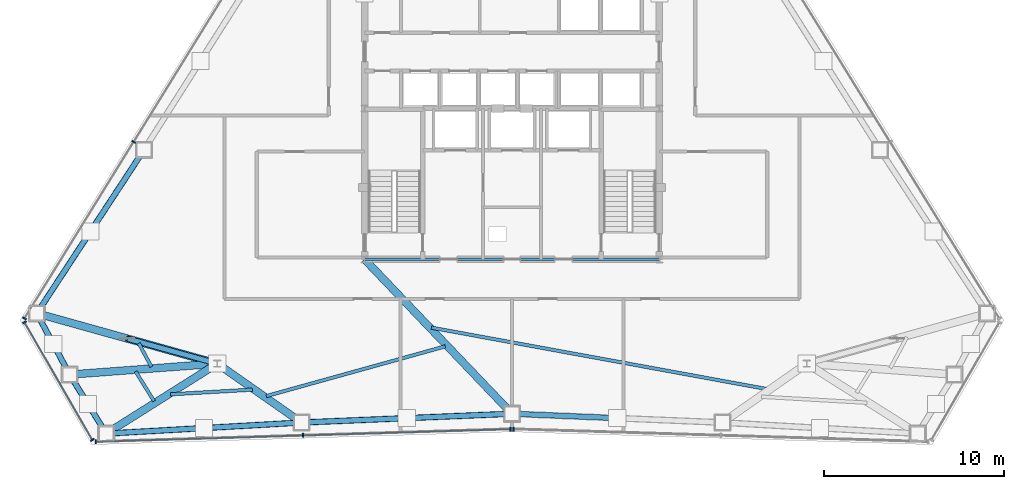
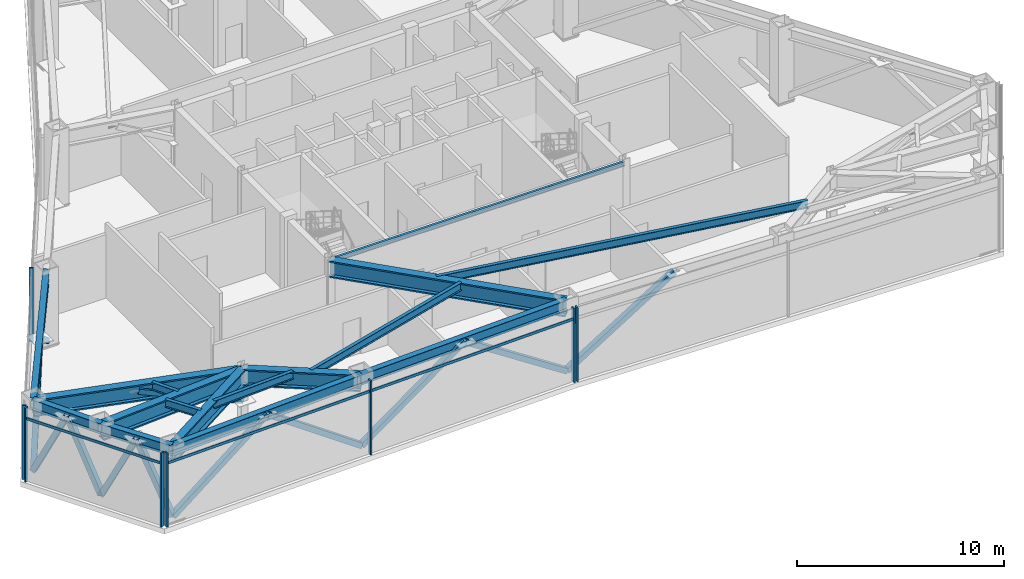
# One storey, part 3 of 12: 22 members, 16 beams, 4 elements without a shape of their own.
"""IFC4 building model written with IfcOpenShell, lengths in metres."""

from ifc_helpers import new_model, si_unit, direction, frame, origin, origin_2d, place, context, subcontext, project, spatial, rectangle, hollow_rectangle, i_section, extrude, source, transform, mapped, material, layer, layer_set, material_profile, profile_set, type_object, type_shapes, element, aggregate, save


model = new_model("IFC4")

# Units and contexts
model_context = context("Model", 3, precision=1e-05, world=origin(), true_north=direction((0.0, 1.0)))
body_context = subcontext(model_context, "Body", "Model", "MODEL_VIEW")
ifc_project = project(units=[si_unit("LENGTHUNIT", "METRE"), si_unit("AREAUNIT", "SQUARE_METRE"), si_unit("VOLUMEUNIT", "CUBIC_METRE"), si_unit("PLANEANGLEUNIT", "RADIAN"), si_unit("MASSUNIT", "GRAM", prefix="KILO")], contexts=[model_context])

# Site, building, storey
site_placement = place(None, origin())
site = spatial("IfcSite", under=ifc_project, at=site_placement, CompositionType="ELEMENT")
building_placement = place(site_placement, origin())
building = spatial("IfcBuilding", under=site, at=building_placement, Name="Varakhsha Concourse Tower", CompositionType="ELEMENT")
storey_placement = place(building_placement, frame((0.0, 0.0, 157.39990234375)))
storey = spatial("IfcBuildingStorey", under=building, at=storey_placement, Name="L45", CompositionType="ELEMENT", Elevation=157.39990234375)

# Beams
ifc_material_1 = material(Name="Structural Steel ASTM A992 Grade 50", Category="steel")
ifc_material_profile_1 = material_profile(ifc_material_1, i_section(OverallWidth=0.19091796875, OverallDepth=0.45703125, WebThickness=0.009033203125, FlangeThickness=0.013916015625, at=origin_2d()), Name="W18X50")
ifc_profile_set_1 = profile_set([ifc_material_profile_1], Name="Structural Steel ASTM A992 Grade 50")
beam_type_1 = type_object("IfcBeamType", Name="BM-JST-W18X50", PredefinedType="JOIST", material=ifc_profile_set_1)
beam_1_placement = place(storey_placement, frame((19.23583984375, 11.73388671875, 4.131591796875), z_axis=(0.472427315469, -0.881369633921, 0.0), x_axis=(0.881369633921, 0.472427315469, 0.0)))
element("IfcBeam", 1, at=beam_1_placement, inside=storey, type_object=beam_type_1, Name="BM-TJST-L45-07", PredefinedType="JOIST", context=body_context, shape_type="SweptSolid", body=[
    extrude(i_section(OverallWidth=0.19091796875, OverallDepth=0.45703125, WebThickness=0.009033203125, FlangeThickness=0.013916015625, at=origin_2d()), origin(), (0.0, 0.0, 1.0), 1.48046875),
])
beam_2_placement = place(storey_placement, frame((19.059814453125, 10.165283203125, 4.131591796875), z_axis=(0.527253458324, -0.849708062034, 0.0), x_axis=(0.849708062034, 0.527253458324, 0.0)))
element("IfcBeam", 2, at=beam_2_placement, inside=storey, type_object=beam_type_1, Name="BM-TJST-L45-08", PredefinedType="JOIST", context=body_context, shape_type="SweptSolid", body=[
    extrude(i_section(OverallWidth=0.19091796875, OverallDepth=0.45703125, WebThickness=0.009033203125, FlangeThickness=0.013916015625, at=origin_2d()), origin(), (0.0, 0.0, 1.0), 1.9443359375),
])
beam_3_placement = place(storey_placement, frame((20.99365234375, 8.89306640625, 4.131591796875), z_axis=(0.998392496676, 0.056678237279, 0.0), x_axis=(-0.056678237279, 0.998392496676, 0.0)))
element("IfcBeam", 3, at=beam_3_placement, inside=storey, type_object=beam_type_1, Name="BM-TJST-L45-09", PredefinedType="JOIST", context=body_context, shape_type="SweptSolid", body=[
    extrude(i_section(OverallWidth=0.19091796875, OverallDepth=0.45703125, WebThickness=0.009033203125, FlangeThickness=0.013916015625, at=origin_2d()), origin(), (0.0, 0.0, 1.0), 4.56591796875),
])
beam_4_placement = place(storey_placement, frame((26.330322265625, 8.794189453125, 4.131591796875), z_axis=(0.96347660105, 0.267792530195, 0.0), x_axis=(-0.267792530195, 0.96347660105, 0.0)))
element("IfcBeam", 4, at=beam_4_placement, inside=storey, type_object=beam_type_1, Name="BM-TJST-L45-10", PredefinedType="JOIST", context=body_context, shape_type="SweptSolid", body=[
    extrude(i_section(OverallWidth=0.19091796875, OverallDepth=0.45703125, WebThickness=0.009033203125, FlangeThickness=0.013916015625, at=origin_2d()), origin(), (0.0, 0.0, 1.0), 10.3330078125),
])
beam_5_placement = place(storey_placement, frame((35.51611328125, 12.6015625, 4.131591796875), z_axis=(0.983674054662, -0.179959312579, 0.0), x_axis=(0.179959312579, 0.983674054662, 0.0)))
element("IfcBeam", 5, at=beam_5_placement, inside=storey, type_object=beam_type_1, Name="BM-TJST-L45-11", PredefinedType="JOIST", context=body_context, shape_type="SweptSolid", body=[
    extrude(i_section(OverallWidth=0.19091796875, OverallDepth=0.45703125, WebThickness=0.009033203125, FlangeThickness=0.013916015625, at=origin_2d()), origin(), (0.0, 0.0, 1.0), 19.024169921875),
])
ifc_material_profile_2 = material_profile(ifc_material_1, i_section(OverallWidth=0.14697265625, OverallDepth=0.261962890625, WebThickness=0.007080078125, FlangeThickness=0.010986328125, at=origin_2d()), Name="W10X26")
ifc_profile_set_2 = profile_set([ifc_material_profile_2], Name="Structural Steel ASTM A992 Grade 50")
beam_type_2 = type_object("IfcBeamType", Name="BM-LNTL-W10X26", PredefinedType="LINTEL", material=ifc_profile_set_2)
beam_6_placement = place(storey_placement, frame((31.800048828125, 16.39990234375, 4.22900390625), z_axis=(1.0, 0.0, 0.0), x_axis=(0.0, 1.0, 0.0)))
element("IfcBeam", 6, at=beam_6_placement, inside=storey, type_object=beam_type_2, Name="BM-TCORE-L45-CS", PredefinedType="LINTEL", context=body_context, shape_type="SweptSolid", body=[
    extrude(i_section(OverallWidth=0.14697265625, OverallDepth=0.261962890625, WebThickness=0.007080078125, FlangeThickness=0.010986328125, at=origin_2d()), origin(), (0.0, 0.0, 1.0), 16.39990234375),
])
ifc_material_profile_3 = material_profile(ifc_material_1, i_section(OverallWidth=0.323974609375, OverallDepth=0.611083984375, WebThickness=0.012939453125, FlangeThickness=0.01904296875, at=origin_2d()), Name="W24X104")
ifc_profile_set_3 = profile_set([ifc_material_profile_3], Name="Structural Steel ASTM A992 Grade 50")
beam_type_3 = type_object("IfcBeamType", Name="BM-SPAN-W24X104", PredefinedType="SPANDREL", material=ifc_profile_set_3)
beam_7_placement = place(storey_placement, frame((19.52734375, 22.494384765625, 4.0546875), z_axis=(-0.548266128306, -0.836303923555, 0.0), x_axis=(0.836303923555, -0.548266128306, 0.0)))
element("IfcBeam", 7, at=beam_7_placement, inside=storey, type_object=beam_type_3, Name="BM-SPAN-L45-06", PredefinedType="SPANDREL", context=body_context, shape_type="SweptSolid", body=[
    extrude(i_section(OverallWidth=0.323974609375, OverallDepth=0.611083984375, WebThickness=0.012939453125, FlangeThickness=0.01904296875, at=origin_2d()), origin(), (0.0, 0.0, 1.0), 10.877197265625),
])
for number, where, z_axis, x_axis, name in (
    (8, (13.563720703125, 13.397705078125, 4.0546875), (0.472226671097, -0.881477152911, 0.0), (0.881477152911, 0.472226671097, 0.0), "BM-SPAN-L45-07"),
    (9, (15.388916015625, 9.99072265625, 4.0546875), (0.52724807345, -0.849711403385, 0.0), (0.849711403385, 0.52724807345, 0.0), "BM-SPAN-L45-08"),
):
    element("IfcBeam", number, at=place(storey_placement, frame(where, z_axis=z_axis, x_axis=x_axis)), inside=storey, type_object=beam_type_3, Name=name, PredefinedType="SPANDREL", context=body_context, shape_type="SweptSolid", body=[
        extrude(i_section(OverallWidth=0.323974609375, OverallDepth=0.611083984375, WebThickness=0.012939453125, FlangeThickness=0.01904296875, at=origin_2d()), origin(), (0.0, 0.0, 1.0), 3.864990234375),
    ])
beam_8_placement = place(storey_placement, frame((17.4267578125, 6.70654296875, 4.0546875), z_axis=(0.998392776911, 0.056673300699, 0.0), x_axis=(-0.056673300699, 0.998392776911, 0.0)))
element("IfcBeam", 10, at=beam_8_placement, inside=storey, type_object=beam_type_3, Name="BM-SPAN-L45-09", PredefinedType="SPANDREL", context=body_context, shape_type="SweptSolid", body=[
    extrude(i_section(OverallWidth=0.323974609375, OverallDepth=0.611083984375, WebThickness=0.012939453125, FlangeThickness=0.01904296875, at=origin_2d()), origin(), (0.0, 0.0, 1.0), 10.87744140625),
])
beam_9_placement = place(storey_placement, frame((28.28662109375, 7.322998046875, 4.0546875), z_axis=(0.999128809081, 0.041732755292, 0.0), x_axis=(-0.041732755292, 0.999128809081, 0.0)))
element("IfcBeam", 11, at=beam_9_placement, inside=storey, type_object=beam_type_3, Name="BM-SPAN-L45-10", PredefinedType="SPANDREL", context=body_context, shape_type="SweptSolid", body=[
    extrude(i_section(OverallWidth=0.323974609375, OverallDepth=0.611083984375, WebThickness=0.012939453125, FlangeThickness=0.01904296875, at=origin_2d()), origin(), (0.0, 0.0, 1.0), 11.7236328125),
])
ifc_material_profile_4 = material_profile(ifc_material_1, i_section(OverallWidth=0.427978515625, OverallDepth=0.97509765625, WebThickness=0.050048828125, FlangeThickness=0.0810546875, at=origin_2d()), Name="W36X395")
ifc_profile_set_4 = profile_set([ifc_material_profile_4], Name="Structural Steel ASTM A992 Grade 50")
beam_type_4 = type_object("IfcBeamType", Name="BM-XFER-W36X395", PredefinedType="USERDEFINED", material=ifc_profile_set_4)
beam_10_placement = place(storey_placement, frame((23.60009765625, 10.60009765625, 3.87255859375), z_axis=(-0.963276818964, 0.268510279221, 0.0), x_axis=(-0.268510279221, -0.963276818964, 0.0)))
element("IfcBeam", 12, at=beam_10_placement, inside=storey, type_object=beam_type_4, Name="L45 Outrigger Top Chord 07", ObjectType="GIRDER", PredefinedType="USERDEFINED", context=body_context, shape_type="SweptSolid", body=[
    extrude(i_section(OverallWidth=0.427978515625, OverallDepth=0.97509765625, WebThickness=0.050048828125, FlangeThickness=0.0810546875, at=origin_2d()), origin(), (0.0, 0.0, 1.0), 10.4189453125),
])
beam_11_placement = place(storey_placement, frame((23.60009765625, 10.60009765625, 3.87255859375), z_axis=(-0.99725755111, -0.074009301804, 0.0), x_axis=(0.074009301804, -0.99725755111, 0.0)))
element("IfcBeam", 13, at=beam_11_placement, inside=storey, type_object=beam_type_4, Name="L45 Outrigger Top Chord 08", ObjectType="GIRDER", PredefinedType="USERDEFINED", context=body_context, shape_type="SweptSolid", body=[
    extrude(i_section(OverallWidth=0.427978515625, OverallDepth=0.97509765625, WebThickness=0.050048828125, FlangeThickness=0.0810546875, at=origin_2d()), origin(), (0.0, 0.0, 1.0), 8.233642578125),
])
beam_12_placement = place(storey_placement, frame((23.60009765625, 10.60009765625, 3.87255859375), z_axis=(-0.845822577747, -0.533464307123, 0.0), x_axis=(0.533464307123, -0.845822577747, 0.0)))
element("IfcBeam", 14, at=beam_12_placement, inside=storey, type_object=beam_type_4, Name="L45 Outrigger Top Chord 09", ObjectType="GIRDER", PredefinedType="USERDEFINED", context=body_context, shape_type="SweptSolid", body=[
    extrude(i_section(OverallWidth=0.427978515625, OverallDepth=0.97509765625, WebThickness=0.050048828125, FlangeThickness=0.0810546875, at=origin_2d()), origin(), (0.0, 0.0, 1.0), 7.298583984375),
])
beam_13_placement = place(storey_placement, frame((23.60009765625, 10.60009765625, 3.87255859375), z_axis=(0.81951662418, -0.573055409792, 0.0), x_axis=(0.573055409792, 0.81951662418, 0.0)))
element("IfcBeam", 15, at=beam_13_placement, inside=storey, type_object=beam_type_4, Name="L45 Outrigger Top Chord 10", ObjectType="GIRDER", PredefinedType="USERDEFINED", context=body_context, shape_type="SweptSolid", body=[
    extrude(i_section(OverallWidth=0.427978515625, OverallDepth=0.97509765625, WebThickness=0.050048828125, FlangeThickness=0.0810546875, at=origin_2d()), origin(), (0.0, 0.0, 1.0), 5.71875),
])
beam_14_placement = place(storey_placement, frame((31.800048828125, 16.39990234375, 3.87255859375), z_axis=(0.690592614806, -0.723243970161, 0.0), x_axis=(0.723243970161, 0.690592614806, 0.0)))
element("IfcBeam", 16, at=beam_14_placement, inside=storey, type_object=beam_type_4, Name="L45 Outrigger Top Chord 11", ObjectType="GIRDER", PredefinedType="USERDEFINED", context=body_context, shape_type="SweptSolid", body=[
    extrude(i_section(OverallWidth=0.427978515625, OverallDepth=0.97509765625, WebThickness=0.050048828125, FlangeThickness=0.0810546875, at=origin_2d()), origin(), (0.0, 0.0, 1.0), 11.873779296875),
])

# Members
ifc_material_2 = material(Name="Structural Steel ASTM A500 Grade C", Category="steel")
ifc_material_profile_5 = material_profile(ifc_material_2, hollow_rectangle(XDim=0.300048828125, YDim=0.300048828125, WallThickness=0.013916015625, at=origin_2d()), Name="HSS 300x300x14")
ifc_profile_set_5 = profile_set([ifc_material_profile_5], Name="Structural Steel ASTM A500 Grade C")
member_type_1 = type_object("IfcMemberType", Name="MB-BELT-HSS300", PredefinedType="BRACE", material=ifc_profile_set_5)
shared_shape_1 = source(origin(), body_context, "Body", "SweptSolid", [
    extrude(hollow_rectangle(XDim=0.300048828125, YDim=0.300048828125, WallThickness=0.013916015625, at=origin_2d()), origin(), (0.0, 0.0, 1.0), 4.388427734375),
])
for number, where, z_axis, x_axis, name in (
    (17, (13.563720703125, 13.397705078125, 0.1201171875), (0.207955639522, -0.388206113587, 0.897803132855), (0.881491237558, 0.472200379191, 0.0), "L45 Belt Truss Chevron 07A"),
    (18, (15.388916015625, 9.99072265625, 0.1201171875), (-0.207960130568, 0.388158863288, 0.897822521964), (-0.881463065911, -0.472252965512, 0.0), "L45 Belt Truss Chevron 07B"),
    (19, (15.388916015625, 9.99072265625, 0.1201171875), (0.23216029012, -0.374193652372, 0.897819976507), (0.8497397021, 0.527202464595, 0.0), "L45 Belt Truss Chevron 08A"),
    (20, (17.4267578125, 6.70654296875, 0.1201171875), (-0.232212924428, 0.374188818808, 0.897808379114), (-0.849683104107, -0.52729367775, 0.0), "L45 Belt Truss Chevron 08B"),
):
    element("IfcMember", number, at=place(storey_placement, frame(where, z_axis=z_axis, x_axis=x_axis)), inside=storey, type_object=member_type_1, Name=name, PredefinedType="BRACE", context=body_context, shape_type="MappedRepresentation", body=[
        mapped(shared_shape_1, transform((0.0, 0.0, 0.0), scale=1.0)),
    ])
shared_shape_2 = source(origin(), body_context, "Body", "SweptSolid", [
    extrude(hollow_rectangle(XDim=0.300048828125, YDim=0.300048828125, WallThickness=0.013916015625, at=origin_2d()), origin(), (0.0, 0.0, 1.0), 6.7158203125),
])
for number, where, z_axis, x_axis, name in (
    (21, (19.52734375, 22.494384765625, 0.1201171875), (-0.44401520766, -0.677255880031, 0.586664272246), (0.836293632078, -0.548281826205, 0.0), "L45 Belt Truss Chevron 06A"),
    (22, (13.563720703125, 13.397705078125, 0.1201171875), (0.443986020951, 0.67726681162, 0.586673741596), (-0.83631421499, 0.548250429827, 0.0), "L45 Belt Truss Chevron 06B"),
    (23, (17.4267578125, 6.70654296875, 0.1201171875), (0.808527236711, 0.045913848297, 0.586664832788), (-0.056695673438, 0.998391506681, 0.0), "L45 Belt Truss Chevron 09A"),
    (24, (28.28662109375, 7.322998046875, 0.1201171875), (-0.808528585698, -0.045877571834, 0.586665811609), (0.056650927875, -0.998394046642, 0.0), "L45 Belt Truss Chevron 09B"),
):
    element("IfcMember", number, at=place(storey_placement, frame(where, z_axis=z_axis, x_axis=x_axis)), inside=storey, type_object=member_type_1, Name=name, PredefinedType="BRACE", context=body_context, shape_type="MappedRepresentation", body=[
        mapped(shared_shape_2, transform((0.0, 0.0, 0.0), scale=1.0)),
    ])
shared_shape_3 = source(origin(), body_context, "Body", "SweptSolid", [
    extrude(hollow_rectangle(XDim=0.300048828125, YDim=0.300048828125, WallThickness=0.013916015625, at=origin_2d()), origin(), (0.0, 0.0, 1.0), 7.062744140625),
])
type_shapes(member_type_1, [shared_shape_1, shared_shape_2, shared_shape_3])
for number, where, z_axis, x_axis, name in (
    (25, (28.28662109375, 7.322998046875, 0.1201171875), (0.829225144257, 0.034636024617, 0.557840484306), (-0.041732755292, 0.999128809081, 0.0), "L45 Belt Truss Chevron 10A"),
    (26, (40.0, 7.812255859375, 0.1201171875), (-0.829225144257, -0.034636024617, 0.557840484306), (0.041732755292, -0.999128809081, 0.0), "L45 Belt Truss Chevron 10B"),
    (27, (40.0, 7.812255859375, 0.1201171875), (0.829225144257, -0.034636024617, 0.557840484306), (0.041732755292, 0.999128809081, 0.0), "L45 Belt Truss Chevron 11A"),
):
    element("IfcMember", number, at=place(storey_placement, frame(where, z_axis=z_axis, x_axis=x_axis)), inside=storey, type_object=member_type_1, Name=name, PredefinedType="BRACE", context=body_context, shape_type="MappedRepresentation", body=[
        mapped(shared_shape_3, transform((0.0, 0.0, 0.0), scale=1.0)),
    ])
ifc_material_profile_6 = material_profile(ifc_material_2, hollow_rectangle(XDim=0.300048828125, YDim=0.300048828125, WallThickness=0.013916015625, at=origin_2d()), Name="HSS 300x300x14")
ifc_profile_set_6 = profile_set([ifc_material_profile_6], Name="Structural Steel ASTM A500 Grade C")
member_type_2 = type_object("IfcMemberType", Name="MB-OUTR-HSS300", PredefinedType="STRUT", material=ifc_profile_set_6)
shared_shape_4 = source(origin(), body_context, "Body", "SweptSolid", [
    extrude(hollow_rectangle(XDim=0.300048828125, YDim=0.300048828125, WallThickness=0.013916015625, at=origin_2d()), origin(), (0.0, 0.0, 1.0), 5.410400390625),
])
type_shapes(member_type_2, [shared_shape_4])
member_1_placement = place(storey_placement, frame((23.60009765625, 10.60009765625, 2.4501953125), z_axis=(-0.927549285031, 0.258522493503, 0.26984892846), x_axis=(-0.268482475967, -0.963284568598, 0.0)))
element("IfcMember", 28, at=member_1_placement, inside=storey, type_object=member_type_2, Name="L45 Outrigger Truss Strut 04", PredefinedType="STRUT", context=body_context, shape_type="MappedRepresentation", body=[
    mapped(shared_shape_4, transform((0.0, 0.0, 0.0), scale=1.0)),
])

# Curtain wall, members
ifc_material_3 = material(Name="Anodised Bronze Architectural Aluminium AA 6063-T6", Category="aluminium")
ifc_layer = layer(ifc_material_3, 0.260009765625, Name="CW-SYS-06")
ifc_layer_set = layer_set([ifc_layer], Name="Anodised Bronze Architectural Aluminium AA 6063-T6")
curtain_wall_type = type_object("IfcCurtainWallType", Name="CW-SYS-06", PredefinedType="NOTDEFINED", material=ifc_layer_set)
curtain_wall_1_placement = place(storey_placement, origin())
curtain_wall_1 = element("IfcCurtainWall", 29, at=curtain_wall_1_placement, inside=storey, type_object=curtain_wall_type, Name="L45 Crystal Curtain Wall F3", PredefinedType="NOTDEFINED")
ifc_material_profile_7 = material_profile(ifc_material_3, rectangle(XDim=0.074951171875, YDim=0.219970703125, at=origin_2d()), Name="CWM-220X75")
ifc_profile_set_7 = profile_set([ifc_material_profile_7], Name="Anodised Bronze Architectural Aluminium AA 6063-T6")
member_type_3 = type_object("IfcMemberType", Name="CWM-220X75", PredefinedType="MULLION", material=ifc_profile_set_7)
shared_shape_5 = source(origin(), body_context, "Body", "SweptSolid", [
    extrude(rectangle(XDim=0.074951171875, YDim=0.219970703125, at=origin_2d()), origin(), (0.0, 0.0, 1.0), 4.360107421875),
])
type_shapes(member_type_3, [shared_shape_5])
member_2_placement = place(storey_placement, frame((12.878662109375, 13.117919921875, 0.0), z_axis=(0.0, 0.0, 1.0), x_axis=(0.526199082126, 0.850361409032, 0.0)))
member_2 = element("IfcMember", 30, at=member_2_placement, type_object=member_type_3, Name="CW-L45-F3 Mullion 00", PredefinedType="MULLION", context=body_context, shape_type="MappedRepresentation", body=[
    mapped(shared_shape_5, transform((0.0, 0.0, 0.0), scale=1.0)),
])
member_3_placement = place(storey_placement, frame((18.951904296875, 22.9326171875, 0.0), z_axis=(0.0, 0.0, 1.0), x_axis=(0.526199082126, 0.850361409032, 0.0)))
member_3 = element("IfcMember", 31, at=member_3_placement, type_object=member_type_3, Name="CW-L45-F3 Mullion 01", PredefinedType="MULLION", context=body_context, shape_type="MappedRepresentation", body=[
    mapped(shared_shape_5, transform((0.0, 0.0, 0.0), scale=1.0)),
])
aggregate(curtain_wall_1, [member_2, member_3])

curtain_wall_2_placement = place(storey_placement, origin())
curtain_wall_2 = element("IfcCurtainWall", 32, at=curtain_wall_2_placement, inside=storey, type_object=curtain_wall_type, Name="L45 Chamfer Curtain Wall F4", PredefinedType="NOTDEFINED")
member_4_placement = place(storey_placement, frame((16.655517578125, 6.357177734375, 0.0), z_axis=(0.0, 0.0, 1.0), x_axis=(-0.499990930976, 0.866030639725, 0.0)))
member_4 = element("IfcMember", 33, at=member_4_placement, type_object=member_type_3, Name="CW-L45-F4 Mullion 00", PredefinedType="MULLION", context=body_context, shape_type="MappedRepresentation", body=[
    mapped(shared_shape_5, transform((0.0, 0.0, 0.0), scale=1.0)),
])
member_5_placement = place(storey_placement, frame((12.87548828125, 12.904296875, 0.0), z_axis=(0.0, 0.0, 1.0), x_axis=(-0.499990930976, 0.866030639725, 0.0)))
member_5 = element("IfcMember", 34, at=member_5_placement, type_object=member_type_3, Name="CW-L45-F4 Mullion 01", PredefinedType="MULLION", context=body_context, shape_type="MappedRepresentation", body=[
    mapped(shared_shape_5, transform((0.0, 0.0, 0.0), scale=1.0)),
])

curtain_wall_3_placement = place(storey_placement, origin())
curtain_wall_3 = element("IfcCurtainWall", 35, at=curtain_wall_3_placement, inside=storey, type_object=curtain_wall_type, Name="L45 Crystal Curtain Wall F5", PredefinedType="NOTDEFINED")
member_6_placement = place(storey_placement, frame((39.915283203125, 6.957763671875, 0.0), z_axis=(0.0, 0.0, 1.0), x_axis=(-0.999534070411, -0.030522812569, 0.0)))
member_6 = element("IfcMember", 36, at=member_6_placement, type_object=member_type_3, Name="CW-L45-F5 Mullion 00", PredefinedType="MULLION", context=body_context, shape_type="MappedRepresentation", body=[
    mapped(shared_shape_5, transform((0.0, 0.0, 0.0), scale=1.0)),
])
member_7_placement = place(storey_placement, frame((28.37841796875, 6.60546875, 0.0), z_axis=(0.0, 0.0, 1.0), x_axis=(-0.999534070411, -0.030522812569, 0.0)))
member_7 = element("IfcMember", 37, at=member_7_placement, type_object=member_type_3, Name="CW-L45-F5 Mullion 01", PredefinedType="MULLION", context=body_context, shape_type="MappedRepresentation", body=[
    mapped(shared_shape_5, transform((0.0, 0.0, 0.0), scale=1.0)),
])
member_8_placement = place(storey_placement, frame((16.841796875, 6.253173828125, 0.0), z_axis=(0.0, 0.0, 1.0), x_axis=(-0.999534070411, -0.030522812569, 0.0)))
member_8 = element("IfcMember", 38, at=member_8_placement, type_object=member_type_3, Name="CW-L45-F5 Mullion 02", PredefinedType="MULLION", context=body_context, shape_type="MappedRepresentation", body=[
    mapped(shared_shape_5, transform((0.0, 0.0, 0.0), scale=1.0)),
])

# Curtain wall, member
curtain_wall_4_placement = place(storey_placement, origin())
curtain_wall_4 = element("IfcCurtainWall", 39, at=curtain_wall_4_placement, inside=storey, type_object=curtain_wall_type, Name="L45 Crystal Curtain Wall F6", PredefinedType="NOTDEFINED")
member_9_placement = place(storey_placement, frame((40.084716796875, 6.957763671875, 0.0), z_axis=(0.0, 0.0, 1.0), x_axis=(-0.999534070411, 0.030522812569, 0.0)))
member_9 = element("IfcMember", 40, at=member_9_placement, type_object=member_type_3, Name="CW-L45-F6 Mullion 02", PredefinedType="MULLION", context=body_context, shape_type="MappedRepresentation", body=[
    mapped(shared_shape_5, transform((0.0, 0.0, 0.0), scale=1.0)),
])
aggregate(curtain_wall_4, [member_9])

# Member
ifc_material_profile_8 = material_profile(ifc_material_3, rectangle(XDim=0.06494140625, YDim=0.159912109375, at=origin_2d()), Name="CWT-160X65")
ifc_profile_set_8 = profile_set([ifc_material_profile_8], Name="Anodised Bronze Architectural Aluminium AA 6063-T6")
member_type_4 = type_object("IfcMemberType", Name="CWT-160X65", PredefinedType="USERDEFINED", material=ifc_profile_set_8)
shared_shape_6 = source(origin(), body_context, "Body", "SweptSolid", [
    extrude(rectangle(XDim=0.06494140625, YDim=0.159912109375, at=origin_2d()), origin(), (0.0, 0.0, 1.0), 7.56005859375),
])
member_10_placement = place(storey_placement, frame((16.655517578125, 6.357177734375, 3.710205078125), z_axis=(-0.500004791531, 0.866022637375, 0.0), x_axis=(-0.866022637375, -0.500004791531, 0.0)))
member_10 = element("IfcMember", 41, at=member_10_placement, type_object=member_type_4, Name="CW-L45-F4 Transom 01", ObjectType="TRANSOM", PredefinedType="USERDEFINED", context=body_context, shape_type="MappedRepresentation", body=[
    mapped(shared_shape_6, transform((0.0, 0.0, 0.0), scale=1.0)),
])

aggregate(curtain_wall_2, [member_4, member_5, member_10])

shared_shape_7 = source(origin(), body_context, "Body", "SweptSolid", [
    extrude(rectangle(XDim=0.06494140625, YDim=0.159912109375, at=origin_2d()), origin(), (0.0, 0.0, 1.0), 23.084228515625),
])
type_shapes(member_type_4, [shared_shape_6, shared_shape_7])
member_11_placement = place(storey_placement, frame((39.915283203125, 6.957763671875, 3.710205078125), z_axis=(-0.999534078535, -0.030522546537, 0.0), x_axis=(0.030522546537, -0.999534078535, 0.0)))
member_11 = element("IfcMember", 42, at=member_11_placement, type_object=member_type_4, Name="CW-L45-F5 Transom 01", ObjectType="TRANSOM", PredefinedType="USERDEFINED", context=body_context, shape_type="MappedRepresentation", body=[
    mapped(shared_shape_7, transform((0.0, 0.0, 0.0), scale=1.0)),
])

aggregate(curtain_wall_3, [member_6, member_7, member_8, member_11])

save(model, "model.ifc")
